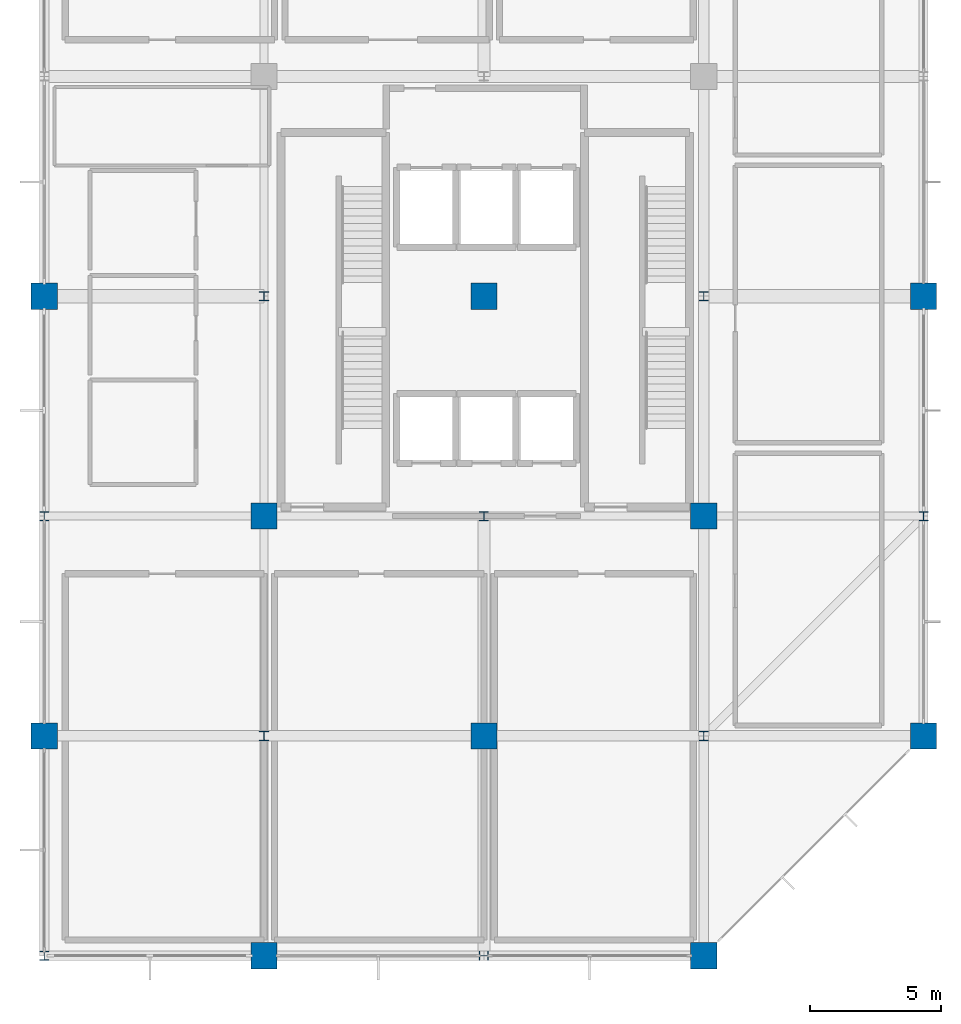
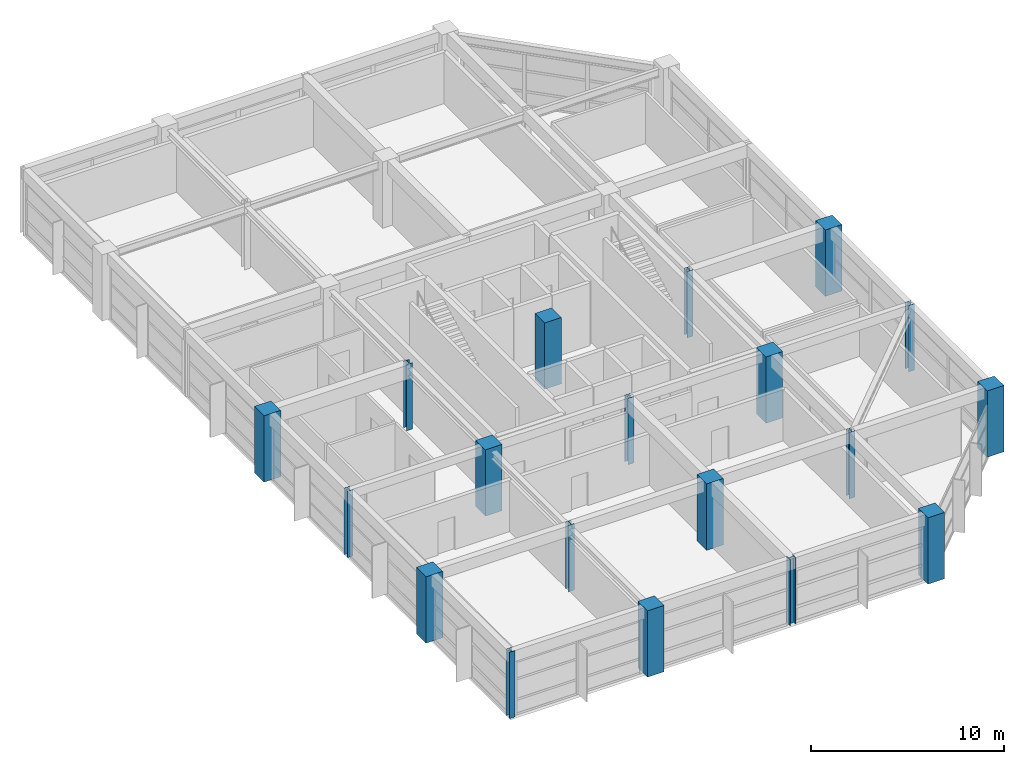
# One storey, part 1 of 15: 19 columns.
"""IFC4 building model written with IfcOpenShell, lengths in metres."""

from ifc_helpers import new_model, si_unit, direction, frame, origin, origin_2d, place, context, subcontext, project, spatial, rectangle, i_section, extrude, material, material_profile, profile_set, type_object, element, save


model = new_model("IFC4")

# Units and contexts
model_context = context("Model", 3, precision=1e-05, world=origin(), true_north=direction((0.0, 1.0)))
body_context = subcontext(model_context, "Body", "Model", "MODEL_VIEW")
ifc_project = project(units=[si_unit("LENGTHUNIT", "METRE"), si_unit("AREAUNIT", "SQUARE_METRE"), si_unit("VOLUMEUNIT", "CUBIC_METRE"), si_unit("PLANEANGLEUNIT", "RADIAN"), si_unit("MASSUNIT", "GRAM", prefix="KILO")], contexts=[model_context])

# Site, building, storey
site_placement = place(None, origin())
site = spatial("IfcSite", under=ifc_project, at=site_placement, CompositionType="ELEMENT")
building_placement = place(site_placement, origin())
building = spatial("IfcBuilding", under=site, at=building_placement, Name="Xuanlan Plaza Opera House", CompositionType="ELEMENT")
storey_placement = place(building_placement, frame((0.0, 0.0, 53.10009765625)))
storey = spatial("IfcBuildingStorey", under=building, at=storey_placement, Name="L12", CompositionType="ELEMENT", Elevation=53.10009765625)

# Columns
ifc_material_1 = material(Name="Concrete C50", Category="concrete")
ifc_material_profile_1 = material_profile(ifc_material_1, rectangle(XDim=1.0, YDim=1.0, at=origin_2d()), Name="RC-COL 1000x1000")
ifc_profile_set_1 = profile_set([ifc_material_profile_1], Name="Concrete C50")
column_type_1 = type_object("IfcColumnType", Name="STR-COL-C-04", PredefinedType="COLUMN", material=ifc_profile_set_1)
for number, where, z_axis, x_axis, name in (
    (1, (126.0, 42.0, 0.0), (0.0, 0.0, 1.0), (1.0, 0.0, 0.0), "Column L12 16-F"),
    (2, (126.0, 58.800048828125, 0.0), (0.0, 0.0, 1.0), (1.0, 0.0, 0.0), "Column L12 16-H"),
    (3, (134.39990234375, 33.60009765625, 0.0), (0.0, 0.0, 1.0), (1.0, 0.0, 0.0), "Column L12 17-E"),
    (4, (134.39990234375, 50.39990234375, 0.0), (0.0, 0.0, 1.0), (1.0, 0.0, 0.0), "Column L12 17-G"),
    (5, (142.800048828125, 42.0, 0.0), (0.0, 0.0, 1.0), (1.0, 0.0, 0.0), "Column L12 18-F"),
    (6, (142.800048828125, 58.800048828125, 0.0), (0.0, 0.0, 1.0), (1.0, 0.0, 0.0), "Column L12 18-H"),
    (7, (151.199951171875, 33.60009765625, 0.0), (0.0, 0.0, 1.0), (1.0, 0.0, 0.0), "Column L12 19-E"),
    (8, (151.199951171875, 50.39990234375, 0.0), (0.0, 0.0, 1.0), (1.0, 0.0, 0.0), "Column L12 19-G"),
    (9, (159.60009765625, 42.0, 0.0), (0.0, 0.0, 1.0), (1.0, 0.0, 0.0), "Column L12 20-F"),
    (10, (159.60009765625, 58.800048828125, 0.0), (0.0, 0.0, 1.0), (1.0, 0.0, 0.0), "Column L12 20-H"),
):
    element("IfcColumn", number, at=place(storey_placement, frame(where, z_axis=z_axis, x_axis=x_axis)), inside=storey, type_object=column_type_1, Name=name, PredefinedType="COLUMN", context=body_context, shape_type="SweptSolid", body=[
        extrude(rectangle(XDim=1.0, YDim=1.0, at=origin_2d()), origin(), (0.0, 0.0, 1.0), 4.199951171875),
    ])
ifc_material_2 = material(Name="Steel Q355B", Category="steel")
ifc_material_profile_2 = material_profile(ifc_material_2, i_section(OverallWidth=0.35009765625, OverallDepth=0.35009765625, WebThickness=0.011962890625, FlangeThickness=0.01904296875, FilletRadius=0.02001953125, at=origin_2d()), Name="HW 350x350x12x19")
ifc_profile_set_2 = profile_set([ifc_material_profile_2], Name="Steel Q355B")
column_type_2 = type_object("IfcColumnType", Name="STR-COL-C-15", PredefinedType="COLUMN", material=ifc_profile_set_2)
for number, where, z_axis, x_axis, name in (
    (11, (126.0, 33.60009765625, 0.0), (0.0, 0.0, 1.0), (1.0, 0.0, 0.0), "Column L12 16-E"),
    (12, (126.0, 50.39990234375, 0.0), (0.0, 0.0, 1.0), (1.0, 0.0, 0.0), "Column L12 16-G"),
    (13, (134.39990234375, 42.0, 0.0), (0.0, 0.0, 1.0), (1.0, 0.0, 0.0), "Column L12 17-F"),
    (14, (134.39990234375, 58.800048828125, 0.0), (0.0, 0.0, 1.0), (1.0, 0.0, 0.0), "Column L12 17-H"),
    (15, (142.800048828125, 33.60009765625, 0.0), (0.0, 0.0, 1.0), (0.0, 1.0, 0.0), "Column L12 18-E"),
    (16, (142.800048828125, 50.39990234375, 0.0), (0.0, 0.0, 1.0), (1.0, 0.0, 0.0), "Column L12 18-G"),
    (17, (151.199951171875, 42.0, 0.0), (0.0, 0.0, 1.0), (1.0, 0.0, 0.0), "Column L12 19-F"),
    (18, (151.199951171875, 58.800048828125, 0.0), (0.0, 0.0, 1.0), (1.0, 0.0, 0.0), "Column L12 19-H"),
    (19, (159.60009765625, 50.39990234375, 0.0), (0.0, 0.0, 1.0), (1.0, 0.0, 0.0), "Column L12 20-G"),
):
    element("IfcColumn", number, at=place(storey_placement, frame(where, z_axis=z_axis, x_axis=x_axis)), inside=storey, type_object=column_type_2, Name=name, PredefinedType="COLUMN", context=body_context, shape_type="SweptSolid", body=[
        extrude(i_section(OverallWidth=0.35009765625, OverallDepth=0.35009765625, WebThickness=0.011962890625, FlangeThickness=0.01904296875, FilletRadius=0.02001953125, at=origin_2d()), origin(), (0.0, 0.0, 1.0), 4.199951171875),
    ])

save(model, "model.ifc")
